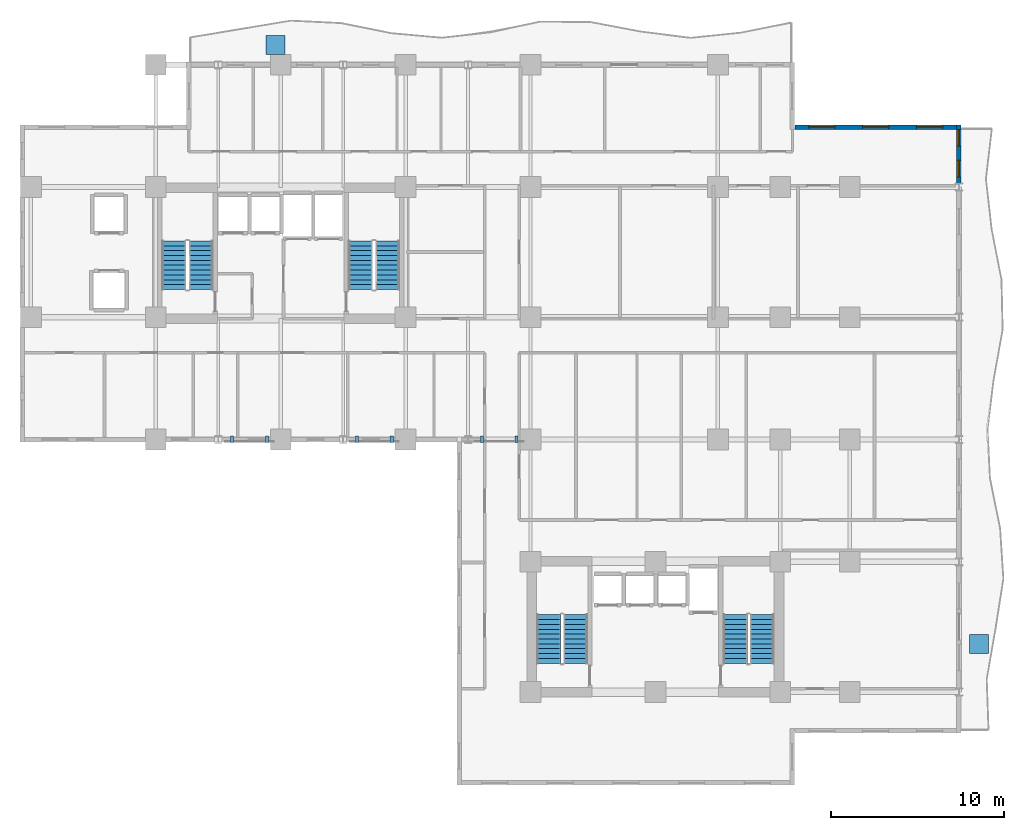
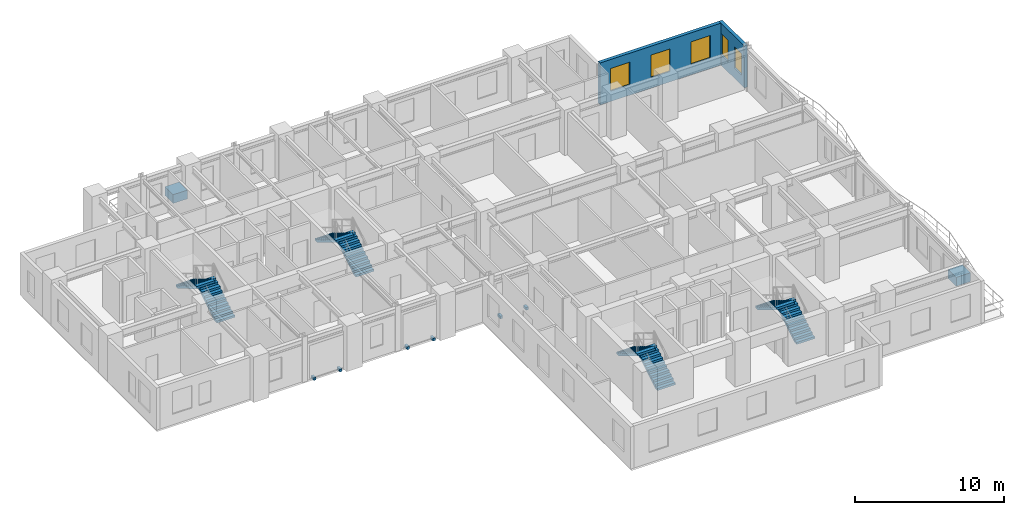
# One storey, part 8 of 11: 8 discrete accessories, 8 stair flights, 5 windows, 2 walls, 5 openings, 4 elements without a shape of their own.
"""IFC4 building model written with IfcOpenShell, lengths in metres."""

from ifc_helpers import new_model, si_unit, direction, frame, frame_2d, origin, origin_2d, place, context, subcontext, project, spatial, polyline, rectangle, outline, extrude, source, transform, mapped, material, layer, layer_set, type_object, element, fill, aggregate, save


model = new_model("IFC4")

# Units and contexts
model_context = context("Model", 3, precision=1e-05, world=origin(), true_north=direction((0.0, 1.0)))
body_context = subcontext(model_context, "Body", "Model", "MODEL_VIEW")
ifc_project = project(units=[si_unit("LENGTHUNIT", "METRE"), si_unit("AREAUNIT", "SQUARE_METRE"), si_unit("VOLUMEUNIT", "CUBIC_METRE"), si_unit("PLANEANGLEUNIT", "RADIAN"), si_unit("MASSUNIT", "GRAM", prefix="KILO")], contexts=[model_context])

# Site, building, storey
site_placement = place(None, origin())
site = spatial("IfcSite", under=ifc_project, at=site_placement, CompositionType="ELEMENT")
building_placement = place(site_placement, origin())
building = spatial("IfcBuilding", under=site, at=building_placement, Name="Kaliganga Portal Commons", CompositionType="ELEMENT")
storey_placement = place(building_placement, frame((0.0, 0.0, 119.300048828125)))
storey = spatial("IfcBuildingStorey", under=building, at=storey_placement, Name="L30", CompositionType="ELEMENT", Elevation=119.300048828125)

# Wall, openings, windows
ifc_material_1 = material(Name="Insulated Aluminium-Clad Spandrel Assembly", Category="aluminium")
ifc_layer = layer(ifc_material_1, 0.260009765625)
ifc_layer_set = layer_set([ifc_layer], Name="Insulated Aluminium-Clad Spandrel Assembly")
wall_type = type_object("IfcWallType", Name="WL-EXT-SPAND-260", PredefinedType="STANDARD", material=ifc_layer_set)
wall_1_placement = place(storey_placement, frame((60.699951171875, 39.72998046875, 0.0), z_axis=(0.0, 0.0, 1.0), x_axis=(0.0, -1.0, 0.0)))
wall_1 = element("IfcWall", 1, at=wall_1_placement, inside=storey, type_object=wall_type, Name="Exterior Envelope Wall L30 P1-E03-S6", PredefinedType="STANDARD", context=body_context, shape_type="SweptSolid", body=[
    extrude(rectangle(XDim=3.364013671875, YDim=0.260009765625, at=frame_2d((1.68212890625, 0.0))), origin(), (0.0, 0.0, 1.0), 3.429931640625),
])
opening_1_placement = place(wall_1_placement, frame((2.041259765625, 0.0, 0.85009765625)))
opening_1 = element("IfcOpeningElement", 2, at=opening_1_placement, cuts=wall_1, Name="Opening W-04", PredefinedType="OPENING", context=body_context, shape_type="SweptSolid", body=[
    extrude(rectangle(XDim=0.949951171875, YDim=1.75, at=frame_2d((0.47509765625, 0.875))), frame((0.0, 0.14013671875, 0.0), z_axis=(0.0, -1.0, 0.0), x_axis=(1.0, 0.0, 0.0)), (0.0, 0.0, 1.0), 0.280029296875),
])
opening_2_placement = place(wall_1_placement, frame((0.26513671875, 0.0, 0.85009765625)))
opening_2 = element("IfcOpeningElement", 3, at=opening_2_placement, cuts=wall_1, Name="Opening W-04", PredefinedType="OPENING", context=body_context, shape_type="SweptSolid", body=[
    extrude(rectangle(XDim=0.949951171875, YDim=1.75, at=frame_2d((0.47509765625, 0.875))), frame((0.0, 0.14013671875, 0.0), z_axis=(0.0, -1.0, 0.0), x_axis=(1.0, 0.0, 0.0)), (0.0, 0.0, 1.0), 0.280029296875),
])
ifc_material_2 = material(Name="Thermally Broken Aluminium and Low-E Double Glazing", Category="aluminium")
window_type_1 = type_object("IfcWindowType", Name="WIN-NARROW-950", PartitioningType="SINGLE_PANEL", PredefinedType="WINDOW", material=ifc_material_2)
window_1_placement = place(opening_1_placement, origin())
window_1 = element("IfcWindow", 4, at=window_1_placement, inside=storey, type_object=window_type_1, Name="Facade Window L30-P1E03S6-N2", OverallHeight=1.75, OverallWidth=0.949951171875, PartitioningType="SINGLE_PANEL", PredefinedType="WINDOW", context=body_context, shape_type="SweptSolid", body=[
    extrude(rectangle(XDim=0.949951171875, YDim=1.75, at=frame_2d((0.47509765625, 0.875))), frame((0.0, 0.030029296875, 0.0), z_axis=(0.0, -1.0, 0.0), x_axis=(1.0, 0.0, 0.0)), (0.0, 0.0, 1.0), 0.06005859375),
])
fill(opening_1, window_1)
window_2_placement = place(opening_2_placement, origin())
window_2 = element("IfcWindow", 5, at=window_2_placement, inside=storey, type_object=window_type_1, Name="Facade Window L30-P1E03S6-N9", OverallHeight=1.75, OverallWidth=0.949951171875, PartitioningType="SINGLE_PANEL", PredefinedType="WINDOW", context=body_context, shape_type="SweptSolid", body=[
    extrude(rectangle(XDim=0.949951171875, YDim=1.75, at=frame_2d((0.47509765625, 0.875))), frame((0.0, 0.030029296875, 0.0), z_axis=(0.0, -1.0, 0.0), x_axis=(1.0, 0.0, 0.0)), (0.0, 0.0, 1.0), 0.06005859375),
])
fill(opening_2, window_2)

wall_2_placement = place(storey_placement, frame((51.235107421875, 39.60009765625, 0.0), z_axis=(0.0, 0.0, 1.0), x_axis=(1.0, 0.0, 0.0)))
wall_2 = element("IfcWall", 6, at=wall_2_placement, inside=storey, type_object=wall_type, Name="Exterior Envelope Wall L30 P1-E04-S1", PredefinedType="STANDARD", context=body_context, shape_type="SweptSolid", body=[
    extrude(rectangle(XDim=9.329833984375, YDim=0.260009765625, at=frame_2d((4.6650390625, 0.0))), origin(), (0.0, 0.0, 1.0), 3.429931640625),
])
opening_3_placement = place(wall_2_placement, frame((0.804931640625, 0.0, 0.85009765625)))
opening_3 = element("IfcOpeningElement", 7, at=opening_3_placement, cuts=wall_2, Name="Opening W-02", PredefinedType="OPENING", context=body_context, shape_type="SweptSolid", body=[
    extrude(rectangle(XDim=1.5, YDim=1.85009765625, at=frame_2d((0.75, 0.925048828125))), frame((0.0, 0.14013671875, 0.0), z_axis=(0.0, -1.0, 0.0), x_axis=(1.0, 0.0, 0.0)), (0.0, 0.0, 1.0), 0.280029296875),
])
opening_4_placement = place(wall_2_placement, frame((3.9150390625, 0.0, 0.85009765625)))
opening_4 = element("IfcOpeningElement", 8, at=opening_4_placement, cuts=wall_2, Name="Opening W-02", PredefinedType="OPENING", context=body_context, shape_type="SweptSolid", body=[
    extrude(rectangle(XDim=1.5, YDim=1.85009765625, at=frame_2d((0.75, 0.925048828125))), frame((0.0, 0.14013671875, 0.0), z_axis=(0.0, -1.0, 0.0), x_axis=(1.0, 0.0, 0.0)), (0.0, 0.0, 1.0), 0.280029296875),
])
opening_5_placement = place(wall_2_placement, frame((7.02490234375, 0.0, 0.85009765625)))
opening_5 = element("IfcOpeningElement", 9, at=opening_5_placement, cuts=wall_2, Name="Opening W-02", PredefinedType="OPENING", context=body_context, shape_type="SweptSolid", body=[
    extrude(rectangle(XDim=1.5, YDim=1.85009765625, at=frame_2d((0.75, 0.925048828125))), frame((0.0, 0.14013671875, 0.0), z_axis=(0.0, -1.0, 0.0), x_axis=(1.0, 0.0, 0.0)), (0.0, 0.0, 1.0), 0.280029296875),
])
window_type_2 = type_object("IfcWindowType", Name="WIN-STD-1500", PartitioningType="DOUBLE_PANEL_VERTICAL", PredefinedType="WINDOW", material=ifc_material_2)
window_3_placement = place(opening_3_placement, origin())
window_3 = element("IfcWindow", 10, at=window_3_placement, inside=storey, type_object=window_type_2, Name="Facade Window L30-P1E04S1-00", OverallHeight=1.85009765625, OverallWidth=1.5, PartitioningType="SINGLE_PANEL", PredefinedType="WINDOW", context=body_context, shape_type="SweptSolid", body=[
    extrude(rectangle(XDim=1.5, YDim=1.85009765625, at=frame_2d((0.75, 0.925048828125))), frame((0.0, 0.030029296875, 0.0), z_axis=(0.0, -1.0, 0.0), x_axis=(1.0, 0.0, 0.0)), (0.0, 0.0, 1.0), 0.06005859375),
])
fill(opening_3, window_3)
window_4_placement = place(opening_4_placement, origin())
window_4 = element("IfcWindow", 11, at=window_4_placement, inside=storey, type_object=window_type_2, Name="Facade Window L30-P1E04S1-01", OverallHeight=1.85009765625, OverallWidth=1.5, PartitioningType="SINGLE_PANEL", PredefinedType="WINDOW", context=body_context, shape_type="SweptSolid", body=[
    extrude(rectangle(XDim=1.5, YDim=1.85009765625, at=frame_2d((0.75, 0.925048828125))), frame((0.0, 0.030029296875, 0.0), z_axis=(0.0, -1.0, 0.0), x_axis=(1.0, 0.0, 0.0)), (0.0, 0.0, 1.0), 0.06005859375),
])
fill(opening_4, window_4)
window_5_placement = place(opening_5_placement, origin())
window_5 = element("IfcWindow", 12, at=window_5_placement, inside=storey, type_object=window_type_2, Name="Facade Window L30-P1E04S1-02", OverallHeight=1.85009765625, OverallWidth=1.5, PartitioningType="SINGLE_PANEL", PredefinedType="WINDOW", context=body_context, shape_type="SweptSolid", body=[
    extrude(rectangle(XDim=1.5, YDim=1.85009765625, at=frame_2d((0.75, 0.925048828125))), frame((0.0, 0.030029296875, 0.0), z_axis=(0.0, -1.0, 0.0), x_axis=(1.0, 0.0, 0.0)), (0.0, 0.0, 1.0), 0.06005859375),
])
fill(opening_5, window_5)

# Stair, stair flights
ifc_material_3 = material(Name="Concrete C40/50", Category="concrete")
stair_type = type_object("IfcStairType", Name="ST-CORE-DOGLEG", PredefinedType="HALF_TURN_STAIR", material=ifc_material_3)
stair_1_placement = place(storey_placement, origin())
stair_1 = element("IfcStair", 13, at=stair_1_placement, inside=storey, type_object=stair_type, Name="L30 Protected Exit Stair ST-A1", PredefinedType="HALF_TURN_STAIR")
stair_flight_type = type_object("IfcStairFlightType", Name="STF-RC-1400", PredefinedType="STRAIGHT", material=ifc_material_3)
stair_flight_1_placement = place(storey_placement, frame((17.0, 30.25, 0.0), z_axis=(0.0, 0.0, 1.0), x_axis=(0.0, 1.0, 0.0)))
stair_flight_1 = element("IfcStairFlight", 14, at=stair_flight_1_placement, type_object=stair_flight_type, Name="ST-A1 flight 1", NumberOfRisers=11, NumberOfTreads=10, PredefinedType="STRAIGHT", RiserHeight=0.168181818, TreadLength=0.28, context=body_context, shape_type="SweptSolid", body=[
    extrude(outline(polyline([(0.0, 0.0), (0.0, 0.168212890625), (0.280029296875, 0.168212890625), (0.280029296875, 0.33642578125), (0.56005859375, 0.33642578125), (0.56005859375, 0.504638671875), (0.840087890625, 0.504638671875), (0.840087890625, 0.672607421875), (1.1201171875, 0.672607421875), (1.1201171875, 0.8408203125), (1.39990234375, 0.8408203125), (1.39990234375, 1.009033203125), (1.679931640625, 1.009033203125), (1.679931640625, 1.17724609375), (1.9599609375, 1.17724609375), (1.9599609375, 1.345458984375), (2.239990234375, 1.345458984375), (2.239990234375, 1.513671875), (2.52001953125, 1.513671875), (2.52001953125, 1.681884765625), (2.800048828125, 1.681884765625), (2.800048828125, 1.85009765625), (2.800048828125, 1.5068359375), (0.291015625, 0.0), (0.0, 0.0)])), frame((0.0, 0.699951171875, 0.0), z_axis=(0.0, -1.0, 0.0), x_axis=(1.0, 0.0, 0.0)), (0.0, 0.0, 1.0), 1.39990234375),
])
stair_flight_2_placement = place(storey_placement, frame((15.449951171875, 33.050048828125, 1.849853515625), z_axis=(0.0, 0.0, 1.0), x_axis=(0.0, -1.0, 0.0)))
stair_flight_2 = element("IfcStairFlight", 15, at=stair_flight_2_placement, type_object=stair_flight_type, Name="ST-A1 flight 2", NumberOfRisers=11, NumberOfTreads=10, PredefinedType="STRAIGHT", RiserHeight=0.168181818, TreadLength=0.28, context=body_context, shape_type="SweptSolid", body=[
    extrude(outline(polyline([(0.0, 0.0), (0.0, 0.168212890625), (0.280029296875, 0.168212890625), (0.280029296875, 0.33642578125), (0.56005859375, 0.33642578125), (0.56005859375, 0.504638671875), (0.840087890625, 0.504638671875), (0.840087890625, 0.672607421875), (1.1201171875, 0.672607421875), (1.1201171875, 0.8408203125), (1.39990234375, 0.8408203125), (1.39990234375, 1.009033203125), (1.679931640625, 1.009033203125), (1.679931640625, 1.17724609375), (1.9599609375, 1.17724609375), (1.9599609375, 1.345458984375), (2.239990234375, 1.345458984375), (2.239990234375, 1.513671875), (2.52001953125, 1.513671875), (2.52001953125, 1.681884765625), (2.800048828125, 1.681884765625), (2.800048828125, 1.85009765625), (2.800048828125, 1.5068359375), (0.291015625, 0.0), (0.0, 0.0)])), frame((0.0, 0.699951171875, 0.0), z_axis=(0.0, -1.0, 0.0), x_axis=(1.0, 0.0, 0.0)), (0.0, 0.0, 1.0), 1.39990234375),
])
aggregate(stair_1, [stair_flight_1, stair_flight_2])

stair_2_placement = place(storey_placement, origin())
stair_2 = element("IfcStair", 16, at=stair_2_placement, inside=storey, type_object=stair_type, Name="L30 Protected Exit Stair ST-A2", PredefinedType="HALF_TURN_STAIR")
stair_flight_3_placement = place(storey_placement, frame((27.75, 30.25, 0.0), z_axis=(0.0, 0.0, 1.0), x_axis=(0.0, 1.0, 0.0)))
stair_flight_3 = element("IfcStairFlight", 17, at=stair_flight_3_placement, type_object=stair_flight_type, Name="ST-A2 flight 1", NumberOfRisers=11, NumberOfTreads=10, PredefinedType="STRAIGHT", RiserHeight=0.168181818, TreadLength=0.28, context=body_context, shape_type="SweptSolid", body=[
    extrude(outline(polyline([(0.0, 0.0), (0.0, 0.168212890625), (0.280029296875, 0.168212890625), (0.280029296875, 0.33642578125), (0.56005859375, 0.33642578125), (0.56005859375, 0.504638671875), (0.840087890625, 0.504638671875), (0.840087890625, 0.672607421875), (1.1201171875, 0.672607421875), (1.1201171875, 0.8408203125), (1.39990234375, 0.8408203125), (1.39990234375, 1.009033203125), (1.679931640625, 1.009033203125), (1.679931640625, 1.17724609375), (1.9599609375, 1.17724609375), (1.9599609375, 1.345458984375), (2.239990234375, 1.345458984375), (2.239990234375, 1.513671875), (2.52001953125, 1.513671875), (2.52001953125, 1.681884765625), (2.800048828125, 1.681884765625), (2.800048828125, 1.85009765625), (2.800048828125, 1.5068359375), (0.291015625, 0.0), (0.0, 0.0)])), frame((0.0, 0.699951171875, 0.0), z_axis=(0.0, -1.0, 0.0), x_axis=(1.0, 0.0, 0.0)), (0.0, 0.0, 1.0), 1.39990234375),
])
stair_flight_4_placement = place(storey_placement, frame((26.199951171875, 33.050048828125, 1.849853515625), z_axis=(0.0, 0.0, 1.0), x_axis=(0.0, -1.0, 0.0)))
stair_flight_4 = element("IfcStairFlight", 18, at=stair_flight_4_placement, type_object=stair_flight_type, Name="ST-A2 flight 2", NumberOfRisers=11, NumberOfTreads=10, PredefinedType="STRAIGHT", RiserHeight=0.168181818, TreadLength=0.28, context=body_context, shape_type="SweptSolid", body=[
    extrude(outline(polyline([(0.0, 0.0), (0.0, 0.168212890625), (0.280029296875, 0.168212890625), (0.280029296875, 0.33642578125), (0.56005859375, 0.33642578125), (0.56005859375, 0.504638671875), (0.840087890625, 0.504638671875), (0.840087890625, 0.672607421875), (1.1201171875, 0.672607421875), (1.1201171875, 0.8408203125), (1.39990234375, 0.8408203125), (1.39990234375, 1.009033203125), (1.679931640625, 1.009033203125), (1.679931640625, 1.17724609375), (1.9599609375, 1.17724609375), (1.9599609375, 1.345458984375), (2.239990234375, 1.345458984375), (2.239990234375, 1.513671875), (2.52001953125, 1.513671875), (2.52001953125, 1.681884765625), (2.800048828125, 1.681884765625), (2.800048828125, 1.85009765625), (2.800048828125, 1.5068359375), (0.291015625, 0.0), (0.0, 0.0)])), frame((0.0, 0.699951171875, 0.0), z_axis=(0.0, -1.0, 0.0), x_axis=(1.0, 0.0, 0.0)), (0.0, 0.0, 1.0), 1.39990234375),
])
aggregate(stair_2, [stair_flight_3, stair_flight_4])

stair_3_placement = place(storey_placement, origin())
stair_3 = element("IfcStair", 19, at=stair_3_placement, inside=storey, type_object=stair_type, Name="L30 Protected Exit Stair ST-B1", PredefinedType="HALF_TURN_STAIR")
stair_flight_5_placement = place(storey_placement, frame((38.60009765625, 8.699951171875, 0.0), z_axis=(0.0, 0.0, 1.0), x_axis=(0.0, 1.0, 0.0)))
stair_flight_5 = element("IfcStairFlight", 20, at=stair_flight_5_placement, type_object=stair_flight_type, Name="ST-B1 flight 1", NumberOfRisers=11, NumberOfTreads=10, PredefinedType="STRAIGHT", RiserHeight=0.168181818, TreadLength=0.28, context=body_context, shape_type="SweptSolid", body=[
    extrude(outline(polyline([(0.0, 0.0), (0.0, 0.168212890625), (0.280029296875, 0.168212890625), (0.280029296875, 0.33642578125), (0.56005859375, 0.33642578125), (0.56005859375, 0.504638671875), (0.840087890625, 0.504638671875), (0.840087890625, 0.672607421875), (1.1201171875, 0.672607421875), (1.1201171875, 0.8408203125), (1.39990234375, 0.8408203125), (1.39990234375, 1.009033203125), (1.679931640625, 1.009033203125), (1.679931640625, 1.17724609375), (1.9599609375, 1.17724609375), (1.9599609375, 1.345458984375), (2.239990234375, 1.345458984375), (2.239990234375, 1.513671875), (2.52001953125, 1.513671875), (2.52001953125, 1.681884765625), (2.800048828125, 1.681884765625), (2.800048828125, 1.85009765625), (2.800048828125, 1.5068359375), (0.291015625, 0.0), (0.0, 0.0)])), frame((0.0, 0.699951171875, 0.0), z_axis=(0.0, -1.0, 0.0), x_axis=(1.0, 0.0, 0.0)), (0.0, 0.0, 1.0), 1.39990234375),
])
stair_flight_6_placement = place(storey_placement, frame((37.050048828125, 11.5, 1.849853515625), z_axis=(0.0, 0.0, 1.0), x_axis=(0.0, -1.0, 0.0)))
stair_flight_6 = element("IfcStairFlight", 21, at=stair_flight_6_placement, type_object=stair_flight_type, Name="ST-B1 flight 2", NumberOfRisers=11, NumberOfTreads=10, PredefinedType="STRAIGHT", RiserHeight=0.168181818, TreadLength=0.28, context=body_context, shape_type="SweptSolid", body=[
    extrude(outline(polyline([(0.0, 0.0), (0.0, 0.168212890625), (0.280029296875, 0.168212890625), (0.280029296875, 0.33642578125), (0.56005859375, 0.33642578125), (0.56005859375, 0.504638671875), (0.840087890625, 0.504638671875), (0.840087890625, 0.672607421875), (1.1201171875, 0.672607421875), (1.1201171875, 0.8408203125), (1.39990234375, 0.8408203125), (1.39990234375, 1.009033203125), (1.679931640625, 1.009033203125), (1.679931640625, 1.17724609375), (1.9599609375, 1.17724609375), (1.9599609375, 1.345458984375), (2.239990234375, 1.345458984375), (2.239990234375, 1.513671875), (2.52001953125, 1.513671875), (2.52001953125, 1.681884765625), (2.800048828125, 1.681884765625), (2.800048828125, 1.85009765625), (2.800048828125, 1.5068359375), (0.291015625, 0.0), (0.0, 0.0)])), frame((0.0, 0.699951171875, 0.0), z_axis=(0.0, -1.0, 0.0), x_axis=(1.0, 0.0, 0.0)), (0.0, 0.0, 1.0), 1.39990234375),
])
aggregate(stair_3, [stair_flight_5, stair_flight_6])

stair_4_placement = place(storey_placement, origin())
stair_4 = element("IfcStair", 22, at=stair_4_placement, inside=storey, type_object=stair_type, Name="L30 Protected Exit Stair ST-B2", PredefinedType="HALF_TURN_STAIR")
stair_flight_7_placement = place(storey_placement, frame((49.35009765625, 8.699951171875, 0.0), z_axis=(0.0, 0.0, 1.0), x_axis=(0.0, 1.0, 0.0)))
stair_flight_7 = element("IfcStairFlight", 23, at=stair_flight_7_placement, type_object=stair_flight_type, Name="ST-B2 flight 1", NumberOfRisers=11, NumberOfTreads=10, PredefinedType="STRAIGHT", RiserHeight=0.168181818, TreadLength=0.28, context=body_context, shape_type="SweptSolid", body=[
    extrude(outline(polyline([(0.0, 0.0), (0.0, 0.168212890625), (0.280029296875, 0.168212890625), (0.280029296875, 0.33642578125), (0.56005859375, 0.33642578125), (0.56005859375, 0.504638671875), (0.840087890625, 0.504638671875), (0.840087890625, 0.672607421875), (1.1201171875, 0.672607421875), (1.1201171875, 0.8408203125), (1.39990234375, 0.8408203125), (1.39990234375, 1.009033203125), (1.679931640625, 1.009033203125), (1.679931640625, 1.17724609375), (1.9599609375, 1.17724609375), (1.9599609375, 1.345458984375), (2.239990234375, 1.345458984375), (2.239990234375, 1.513671875), (2.52001953125, 1.513671875), (2.52001953125, 1.681884765625), (2.800048828125, 1.681884765625), (2.800048828125, 1.85009765625), (2.800048828125, 1.5068359375), (0.291015625, 0.0), (0.0, 0.0)])), frame((0.0, 0.699951171875, 0.0), z_axis=(0.0, -1.0, 0.0), x_axis=(1.0, 0.0, 0.0)), (0.0, 0.0, 1.0), 1.39990234375),
])
stair_flight_8_placement = place(storey_placement, frame((47.800048828125, 11.5, 1.849853515625), z_axis=(0.0, 0.0, 1.0), x_axis=(0.0, -1.0, 0.0)))
stair_flight_8 = element("IfcStairFlight", 24, at=stair_flight_8_placement, type_object=stair_flight_type, Name="ST-B2 flight 2", NumberOfRisers=11, NumberOfTreads=10, PredefinedType="STRAIGHT", RiserHeight=0.168181818, TreadLength=0.28, context=body_context, shape_type="SweptSolid", body=[
    extrude(outline(polyline([(0.0, 0.0), (0.0, 0.168212890625), (0.280029296875, 0.168212890625), (0.280029296875, 0.33642578125), (0.56005859375, 0.33642578125), (0.56005859375, 0.504638671875), (0.840087890625, 0.504638671875), (0.840087890625, 0.672607421875), (1.1201171875, 0.672607421875), (1.1201171875, 0.8408203125), (1.39990234375, 0.8408203125), (1.39990234375, 1.009033203125), (1.679931640625, 1.009033203125), (1.679931640625, 1.17724609375), (1.9599609375, 1.17724609375), (1.9599609375, 1.345458984375), (2.239990234375, 1.345458984375), (2.239990234375, 1.513671875), (2.52001953125, 1.513671875), (2.52001953125, 1.681884765625), (2.800048828125, 1.681884765625), (2.800048828125, 1.85009765625), (2.800048828125, 1.5068359375), (0.291015625, 0.0), (0.0, 0.0)])), frame((0.0, 0.699951171875, 0.0), z_axis=(0.0, -1.0, 0.0), x_axis=(1.0, 0.0, 0.0)), (0.0, 0.0, 1.0), 1.39990234375),
])
aggregate(stair_4, [stair_flight_7, stair_flight_8])

# Discrete accessories
ifc_material_4 = material(Name="Precast concrete C40/50", Category="concrete")
discrete_accessory_type_1 = type_object("IfcDiscreteAccessoryType", Name="DAC-PLANTER-RC", PredefinedType="USERDEFINED", material=ifc_material_4)
shared_shape_1 = source(origin(), body_context, "Body", "SweptSolid", [
    extrude(rectangle(XDim=1.10009765625, YDim=1.10009765625, at=origin_2d()), origin(), (0.0, 0.0, 1.0), 0.719970703125),
])
for number, where, z_axis, x_axis, name in (
    (25, (21.300048828125, 44.35009765625, 0.0), (0.0, 0.0, 1.0), (1.0, 0.0, 0.0), "Structural Tree Planter L30 balc_north"),
    (26, (61.85009765625, 9.800048828125, 0.0), (0.0, 0.0, 1.0), (1.0, 0.0, 0.0), "Structural Tree Planter L30 balc_east"),
):
    element("IfcDiscreteAccessory", number, at=place(storey_placement, frame(where, z_axis=z_axis, x_axis=x_axis)), inside=storey, type_object=discrete_accessory_type_1, Name=name, ObjectType="PLANTER", PredefinedType="USERDEFINED", context=body_context, shape_type="MappedRepresentation", body=[
        mapped(shared_shape_1, transform((0.0, 0.0, 0.0), x_axis=(1.0, 0.0, 0.0), y_axis=(0.0, 1.0, 0.0), z_axis=(0.0, 0.0, 1.0), scale=1.0)),
    ])
ifc_material_5 = material(Name="Structural steel S355J2", Category="steel")
discrete_accessory_type_2 = type_object("IfcDiscreteAccessoryType", Name="DAC-BRK-SCR", PredefinedType="BRACKET", material=ifc_material_5)
shared_shape_2 = source(origin(), body_context, "Body", "SweptSolid", [
    extrude(rectangle(XDim=0.179931640625, YDim=0.360107421875, at=origin_2d()), origin(), (0.0, 0.0, 1.0), 0.219970703125),
])
for number, where, z_axis, x_axis, name in (
    (27, (18.800048828125, 21.6201171875, -0.18994140625), (0.0, 0.0, 1.0), (1.0, 0.0, 0.0), "Solar Screen Outrigger Bracket L30-S1-1"),
    (28, (20.800048828125, 21.6201171875, -0.18994140625), (0.0, 0.0, 1.0), (1.0, 0.0, 0.0), "Solar Screen Outrigger Bracket L30-S1-2"),
    (29, (26.0, 21.6201171875, -0.18994140625), (0.0, 0.0, 1.0), (1.0, 0.0, 0.0), "Solar Screen Outrigger Bracket L30-S2-1"),
    (30, (28.0, 21.6201171875, -0.18994140625), (0.0, 0.0, 1.0), (1.0, 0.0, 0.0), "Solar Screen Outrigger Bracket L30-S2-2"),
    (31, (33.199951171875, 21.6201171875, -0.18994140625), (0.0, 0.0, 1.0), (1.0, 0.0, 0.0), "Solar Screen Outrigger Bracket L30-S3-1"),
    (32, (35.199951171875, 21.6201171875, -0.18994140625), (0.0, 0.0, 1.0), (1.0, 0.0, 0.0), "Solar Screen Outrigger Bracket L30-S3-2"),
):
    element("IfcDiscreteAccessory", number, at=place(storey_placement, frame(where, z_axis=z_axis, x_axis=x_axis)), inside=storey, type_object=discrete_accessory_type_2, Name=name, PredefinedType="BRACKET", context=body_context, shape_type="MappedRepresentation", body=[
        mapped(shared_shape_2, transform((0.0, 0.0, 0.0), x_axis=(1.0, 0.0, 0.0), y_axis=(0.0, 1.0, 0.0), z_axis=(0.0, 0.0, 1.0), scale=1.0)),
    ])

save(model, "model.ifc")
